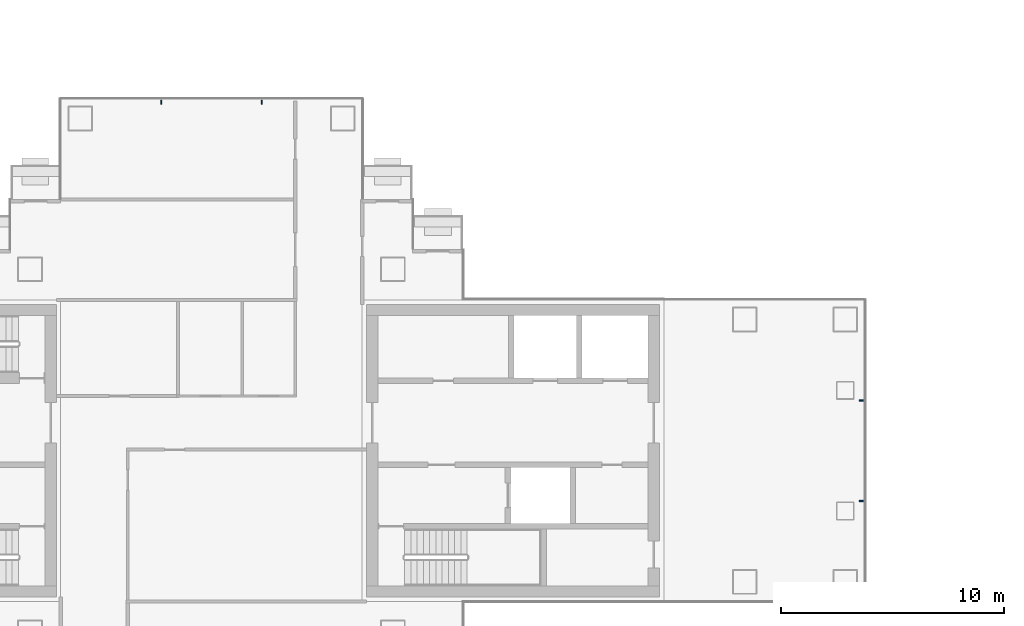
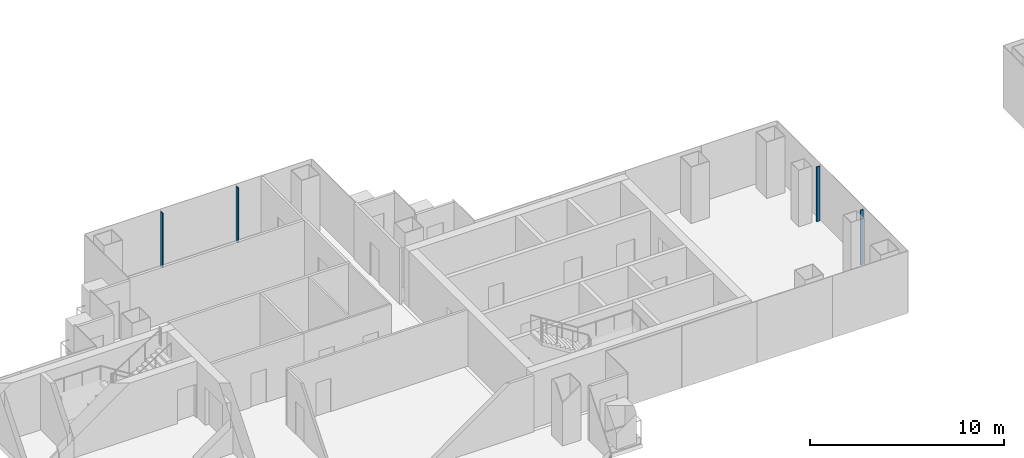
# One storey, part 4 of 16: 4 members, 2 elements without a shape of their own.
"""IFC4 building model written with IfcOpenShell, lengths in metres."""

from ifc_helpers import new_model, si_unit, direction, frame, origin, origin_2d, place, context, subcontext, project, spatial, rectangle, extrude, material, layer, layer_set, material_profile, profile_set, type_object, element, aggregate, save


model = new_model("IFC4")

# Units and contexts
model_context = context("Model", 3, precision=1e-05, world=origin(), true_north=direction((0.0, 1.0)))
body_context = subcontext(model_context, "Body", "Model", "MODEL_VIEW")
ifc_project = project(units=[si_unit("LENGTHUNIT", "METRE"), si_unit("AREAUNIT", "SQUARE_METRE"), si_unit("VOLUMEUNIT", "CUBIC_METRE"), si_unit("PLANEANGLEUNIT", "RADIAN"), si_unit("MASSUNIT", "GRAM", prefix="KILO")], contexts=[model_context])

# Site, building, storey
site_placement = place(None, origin())
site = spatial("IfcSite", under=ifc_project, at=site_placement, CompositionType="ELEMENT")
building_placement = place(site_placement, origin())
building = spatial("IfcBuilding", under=site, at=building_placement, Name="Shamsa Quay Exchange Towers", CompositionType="ELEMENT")
storey_placement = place(building_placement, frame((0.0, 0.0, 150.60009765625)))
storey = spatial("IfcBuildingStorey", under=building, at=storey_placement, Name="L35", CompositionType="ELEMENT", Elevation=150.60009765625)

# Curtain wall, members
ifc_material = material(Name="Aluminium EN AW-6063 T6, black anodised", Category="aluminium")
ifc_layer = layer(ifc_material, 0.280029296875)
ifc_layer_set = layer_set([ifc_layer], Name="CW-1 UNITISED VISION GLASS")
curtain_wall_type = type_object("IfcCurtainWallType", Name="CW-1 UNITISED VISION GLASS", PredefinedType="NOTDEFINED", material=ifc_layer_set)
curtain_wall_1_placement = place(storey_placement, origin())
curtain_wall_1 = element("IfcCurtainWall", 1, at=curtain_wall_1_placement, inside=storey, type_object=curtain_wall_type, Name="CW1 T1-END-U+ L35", PredefinedType="NOTDEFINED")
ifc_material_profile = material_profile(ifc_material, rectangle(XDim=0.179931640625, YDim=0.06005859375, at=origin_2d()), Name="MU60x180")
ifc_profile_set = profile_set([ifc_material_profile], Name="Aluminium EN AW-6063 T6, black anodised")
member_type = type_object("IfcMemberType", Name="CW1 MULLION 60x180", PredefinedType="MULLION", material=ifc_profile_set)
member_1_placement = place(storey_placement, frame((-4.64990234375, -2.25, 0.0), z_axis=(0.0, 0.0, 1.0), x_axis=(-1.0, 0.0, 0.0)))
member_1 = element("IfcMember", 2, at=member_1_placement, type_object=member_type, Name="CW1 mullion", PredefinedType="MULLION", context=body_context, shape_type="SweptSolid", body=[
    extrude(rectangle(XDim=0.179931640625, YDim=0.06005859375, at=origin_2d()), origin(), (0.0, 0.0, 1.0), 3.449951171875),
])
member_2_placement = place(storey_placement, frame((-4.64990234375, 2.25, 0.0), z_axis=(0.0, 0.0, 1.0), x_axis=(-1.0, 0.0, 0.0)))
member_2 = element("IfcMember", 3, at=member_2_placement, type_object=member_type, Name="CW1 mullion", PredefinedType="MULLION", context=body_context, shape_type="SweptSolid", body=[
    extrude(rectangle(XDim=0.179931640625, YDim=0.06005859375, at=origin_2d()), origin(), (0.0, 0.0, 1.0), 3.449951171875),
])
aggregate(curtain_wall_1, [member_1, member_2])

curtain_wall_2_placement = place(storey_placement, origin())
curtain_wall_2 = element("IfcCurtainWall", 4, at=curtain_wall_2_placement, inside=storey, type_object=curtain_wall_type, Name="CW1 T1-END-V+ L35", PredefinedType="NOTDEFINED")
member_3_placement = place(storey_placement, frame((-31.5, 15.60009765625, 0.0), z_axis=(0.0, 0.0, 1.0), x_axis=(0.0, -1.0, 0.0)))
member_3 = element("IfcMember", 5, at=member_3_placement, type_object=member_type, Name="CW1 mullion", PredefinedType="MULLION", context=body_context, shape_type="SweptSolid", body=[
    extrude(rectangle(XDim=0.179931640625, YDim=0.06005859375, at=origin_2d()), origin(), (0.0, 0.0, 1.0), 3.449951171875),
])
member_4_placement = place(storey_placement, frame((-36.0, 15.60009765625, 0.0), z_axis=(0.0, 0.0, 1.0), x_axis=(0.0, -1.0, 0.0)))
member_4 = element("IfcMember", 6, at=member_4_placement, type_object=member_type, Name="CW1 mullion", PredefinedType="MULLION", context=body_context, shape_type="SweptSolid", body=[
    extrude(rectangle(XDim=0.179931640625, YDim=0.06005859375, at=origin_2d()), origin(), (0.0, 0.0, 1.0), 3.449951171875),
])
aggregate(curtain_wall_2, [member_3, member_4])

save(model, "model.ifc")
